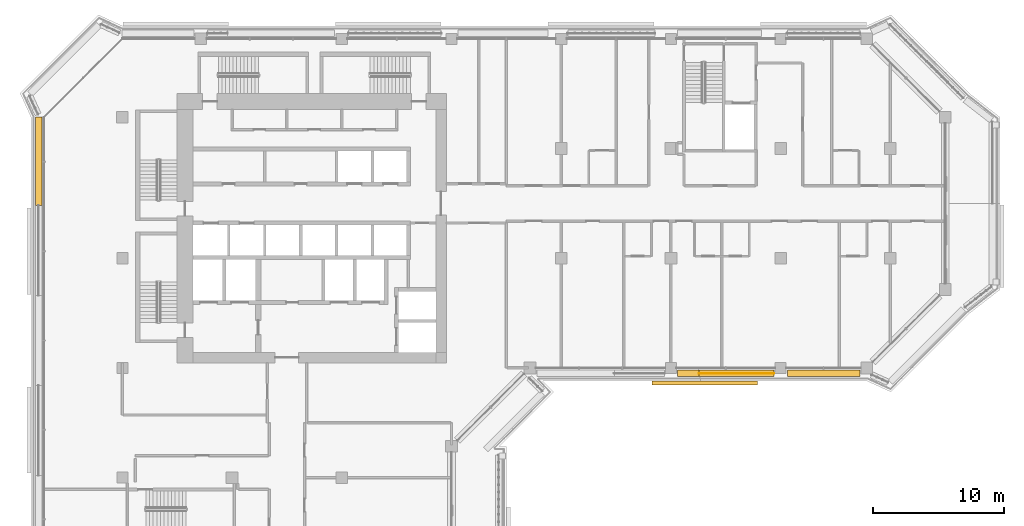
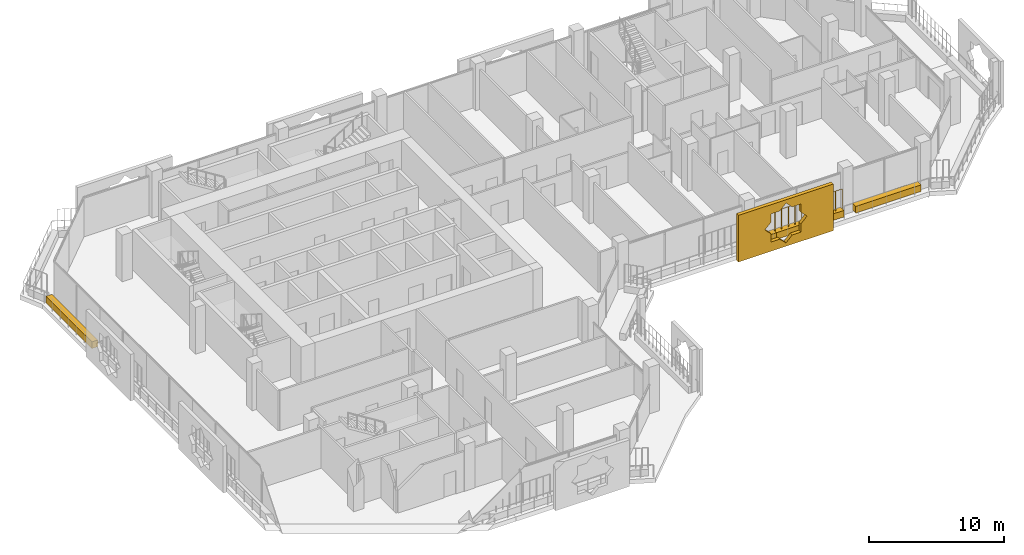
# One storey, part 19 of 22: 5 coverings, 1 railing.
"""IFC4 building model written with IfcOpenShell, lengths in metres."""

from ifc_helpers import new_model, si_unit, direction, frame, origin, origin_2d, place, context, subcontext, project, spatial, polyline, rectangle, circle, outline, extrude, material, material_profile, profile_set, type_object, element, save


model = new_model("IFC4")

# Units and contexts
model_context = context("Model", 3, precision=1e-05, world=origin(), true_north=direction((0.0, 1.0)))
body_context = subcontext(model_context, "Body", "Model", "MODEL_VIEW")
ifc_project = project(units=[si_unit("LENGTHUNIT", "METRE"), si_unit("AREAUNIT", "SQUARE_METRE"), si_unit("VOLUMEUNIT", "CUBIC_METRE"), si_unit("PLANEANGLEUNIT", "RADIAN"), si_unit("MASSUNIT", "GRAM", prefix="KILO")], contexts=[model_context])

# Site, building, storey
site_placement = place(None, origin())
site = spatial("IfcSite", under=ifc_project, at=site_placement, CompositionType="ELEMENT")
building_placement = place(site_placement, origin())
building = spatial("IfcBuilding", under=site, at=building_placement, Name="Kawkab Arch Medical Tower", CompositionType="ELEMENT")
storey_placement = place(building_placement, frame((0.0, 0.0, 251.60009765625)))
storey = spatial("IfcBuildingStorey", under=building, at=storey_placement, Name="L58", CompositionType="ELEMENT", Elevation=251.60009765625)

# Coverings
ifc_material_1 = material(Name="Bronze anodised aluminium mashrabiya panel, eight-point star pattern", Category="aluminium")
ifc_material_profile_1 = material_profile(ifc_material_1, outline(polyline([(-4.050048828125, -2.10009765625), (4.050048828125, -2.10009765625), (4.050048828125, 2.10009765625), (-4.050048828125, 2.10009765625), (-4.050048828125, -2.10009765625)]), holes=[polyline([(1.800048828125, 0.0), (1.272705078125, 0.527099609375), (1.272705078125, 1.272705078125), (0.527099609375, 1.272705078125), (0.0, 1.800048828125), (-0.527099609375, 1.272705078125), (-1.272705078125, 1.272705078125), (-1.272705078125, 0.527099609375), (-1.800048828125, 0.0), (-1.272705078125, -0.527099609375), (-1.272705078125, -1.272705078125), (-0.527099609375, -1.272705078125), (0.0, -1.800048828125), (0.527099609375, -1.272705078125), (1.272705078125, -1.272705078125), (1.272705078125, -0.527099609375), (1.800048828125, 0.0)])]), Name="Mashrabiya panel 8100x4200")
ifc_profile_set_1 = profile_set([ifc_material_profile_1], Name="Bronze anodised aluminium mashrabiya panel, eight-point star pattern")
covering_type_1 = type_object("IfcCoveringType", Name="Mashrabiya panel 8100 x 4200", PredefinedType="USERDEFINED", material=ifc_profile_set_1)
covering_1_placement = place(storey_placement, frame((44.59228515625, -26.199951171875, 1.699951171875), z_axis=(0.0, -1.0, 0.0), x_axis=(1.0, 0.0, 0.0)))
element("IfcCovering", 1, at=covering_1_placement, inside=storey, type_object=covering_type_1, Name="Mashrabiya panel L58.LOG-01-01.10", ObjectType="SCREEN", PredefinedType="USERDEFINED", context=body_context, shape_type="SweptSolid", body=[
    extrude(outline(polyline([(-4.050048828125, -2.10009765625), (4.050048828125, -2.10009765625), (4.050048828125, 2.10009765625), (-4.050048828125, 2.10009765625), (-4.050048828125, -2.10009765625)]), holes=[polyline([(1.800048828125, 0.0), (1.272705078125, 0.527099609375), (1.272705078125, 1.272705078125), (0.527099609375, 1.272705078125), (0.0, 1.800048828125), (-0.527099609375, 1.272705078125), (-1.272705078125, 1.272705078125), (-1.272705078125, 0.527099609375), (-1.800048828125, 0.0), (-1.272705078125, -0.527099609375), (-1.272705078125, -1.272705078125), (-0.527099609375, -1.272705078125), (0.0, -1.800048828125), (0.527099609375, -1.272705078125), (1.272705078125, -1.272705078125), (1.272705078125, -0.527099609375), (1.800048828125, 0.0)])]), origin(), (0.0, 0.0, 1.0), 0.300048828125),
])
ifc_material_2 = material(Name="Planting soil in a precast trough", Category="concrete")
ifc_material_profile_2 = material_profile(ifc_material_2, rectangle(XDim=0.5, YDim=0.60009765625, at=origin_2d()), Name="Trough 500x600")
ifc_profile_set_2 = profile_set([ifc_material_profile_2], Name="Planting soil in a precast trough")
covering_type_2 = type_object("IfcCoveringType", Name="Planter trough 500 x 600", PredefinedType="USERDEFINED", material=ifc_profile_set_2)
covering_2_placement = place(storey_placement, frame((-6.419921875, -12.763916015625, 0.2998046875), z_axis=(0.0, 1.0, 0.0), x_axis=(-1.0, 0.0, 0.0)))
element("IfcCovering", 2, at=covering_2_placement, inside=storey, type_object=covering_type_2, Name="Planter L58.LOG-01-01.12", ObjectType="PLANTER", PredefinedType="USERDEFINED", context=body_context, shape_type="SweptSolid", body=[
    extrude(rectangle(XDim=0.5, YDim=0.60009765625, at=origin_2d()), origin(), (0.0, 0.0, 1.0), 6.789794921875),
])
covering_3_placement = place(storey_placement, frame((56.469970703125, -25.6201171875, 0.2998046875), z_axis=(-1.0, 0.0, 0.0), x_axis=(0.0, -1.0, 0.0)))
element("IfcCovering", 3, at=covering_3_placement, inside=storey, type_object=covering_type_2, Name="Planter L58.LOG-01-01.32", ObjectType="PLANTER", PredefinedType="USERDEFINED", context=body_context, shape_type="SweptSolid", body=[
    extrude(rectangle(XDim=0.5, YDim=0.60009765625, at=origin_2d()), origin(), (0.0, 0.0, 1.0), 5.56494140625),
])
covering_4_placement = place(storey_placement, frame((49.89501953125, -25.6201171875, 0.2998046875), z_axis=(-1.0, 0.0, 0.0), x_axis=(0.0, -1.0, 0.0)))
element("IfcCovering", 4, at=covering_4_placement, inside=storey, type_object=covering_type_2, Name="Planter L58.LOG-01-01.33", ObjectType="PLANTER", PredefinedType="USERDEFINED", context=body_context, shape_type="SweptSolid", body=[
    extrude(rectangle(XDim=0.5, YDim=0.60009765625, at=origin_2d()), origin(), (0.0, 0.0, 1.0), 5.739990234375),
])
covering_5_placement = place(storey_placement, frame((44.155029296875, -25.6201171875, 0.2998046875), z_axis=(-1.0, 0.0, 0.0), x_axis=(0.0, -1.0, 0.0)))
element("IfcCovering", 5, at=covering_5_placement, inside=storey, type_object=covering_type_2, Name="Planter L58.LOG-01-01.34", ObjectType="PLANTER", PredefinedType="USERDEFINED", context=body_context, shape_type="SweptSolid", body=[
    extrude(rectangle(XDim=0.5, YDim=0.60009765625, at=origin_2d()), origin(), (0.0, 0.0, 1.0), 1.650146484375),
])

# Railing
ifc_material_3 = material(Name="Bronze anodised aluminium trellis for climbing plants", Category="aluminium")
railing_type = type_object("IfcRailingType", Name="Planting trellis 2400", PredefinedType="USERDEFINED", material=ifc_material_3)
railing_placement = place(storey_placement, frame((49.89501953125, -25.6201171875, 0.0)))
element("IfcRailing", 6, at=railing_placement, inside=storey, type_object=railing_type, Name="Planting trellis L58.LOG-01-01.33", ObjectType="TRELLIS", PredefinedType="USERDEFINED", context=body_context, shape_type="SweptSolid", body=[
    extrude(circle(Radius=0.01513671875, at=origin_2d()), frame((0.0, 0.0, 2.384765625), z_axis=(-1.0, 0.0, 0.0), x_axis=(0.0, -1.0, 0.0)), (0.0, 0.0, 1.0), 5.739990234375),
    extrude(circle(Radius=0.030029296875, at=origin_2d()), origin(), (0.0, 0.0, 1.0), 2.369873046875),
    extrude(circle(Radius=0.030029296875, at=origin_2d()), frame((-0.573974609375, 0.0, 0.0)), (0.0, 0.0, 1.0), 2.369873046875),
    extrude(circle(Radius=0.030029296875, at=origin_2d()), frame((-1.14794921875, 0.0, 0.0)), (0.0, 0.0, 1.0), 2.369873046875),
    extrude(circle(Radius=0.030029296875, at=origin_2d()), frame((-1.721923828125, 0.0, 0.0)), (0.0, 0.0, 1.0), 2.369873046875),
    extrude(circle(Radius=0.030029296875, at=origin_2d()), frame((-2.2958984375, 0.0, 0.0)), (0.0, 0.0, 1.0), 2.369873046875),
    extrude(circle(Radius=0.030029296875, at=origin_2d()), frame((-2.8701171875, 0.0, 0.0)), (0.0, 0.0, 1.0), 2.369873046875),
    extrude(circle(Radius=0.030029296875, at=origin_2d()), frame((-3.444091796875, 0.0, 0.0)), (0.0, 0.0, 1.0), 2.369873046875),
    extrude(circle(Radius=0.030029296875, at=origin_2d()), frame((-4.01806640625, 0.0, 0.0)), (0.0, 0.0, 1.0), 2.369873046875),
    extrude(circle(Radius=0.030029296875, at=origin_2d()), frame((-4.592041015625, 0.0, 0.0)), (0.0, 0.0, 1.0), 2.369873046875),
    extrude(circle(Radius=0.030029296875, at=origin_2d()), frame((-5.166015625, 0.0, 0.0)), (0.0, 0.0, 1.0), 2.369873046875),
    extrude(circle(Radius=0.030029296875, at=origin_2d()), frame((-5.739990234375, 0.0, 0.0)), (0.0, 0.0, 1.0), 2.369873046875),
])

save(model, "model.ifc")
